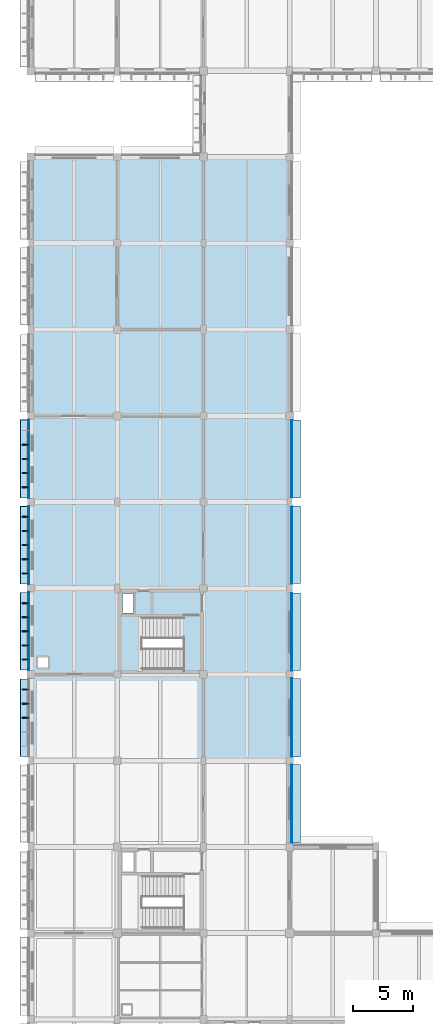
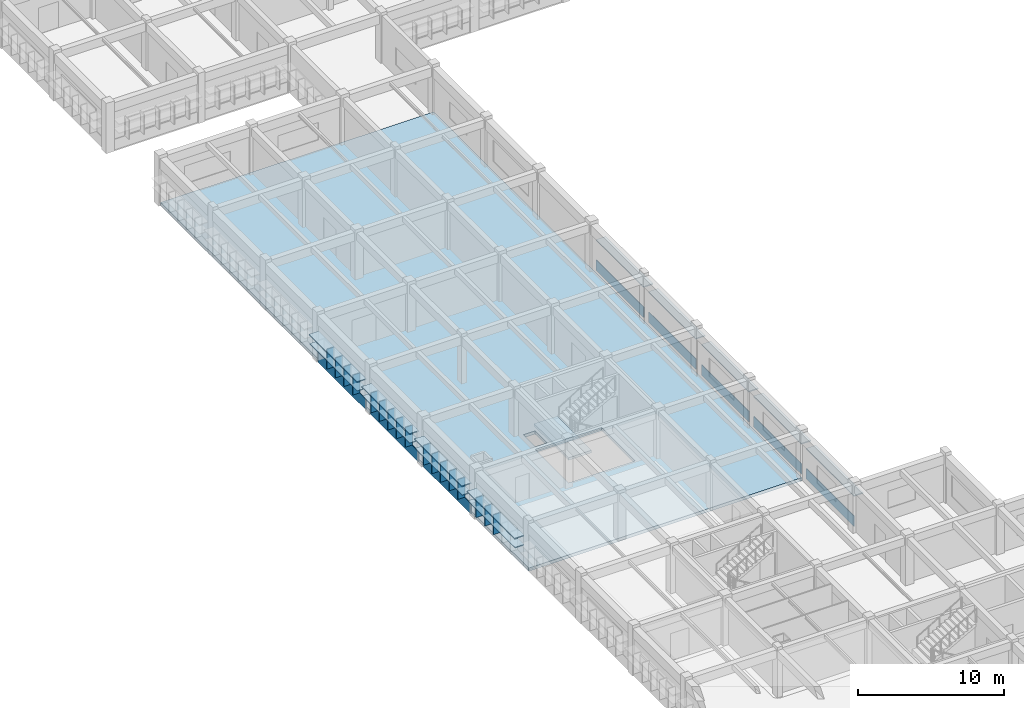
# One storey, part 11 of 38: 38 plates, 2 slabs, 1 element without a shape of its own.
"""IFC4 building model written with IfcOpenShell, lengths in metres."""

from ifc_helpers import new_model, si_unit, direction, frame, origin, origin_2d, place, context, subcontext, project, spatial, polyline, rectangle, outline, extrude, material, layer, layer_set, type_object, element, aggregate, save


model = new_model("IFC4")

# Units and contexts
model_context = context("Model", 3, precision=1e-05, world=origin(), true_north=direction((0.0, 1.0)))
body_context = subcontext(model_context, "Body", "Model", "MODEL_VIEW")
ifc_project = project(units=[si_unit("LENGTHUNIT", "METRE"), si_unit("AREAUNIT", "SQUARE_METRE"), si_unit("VOLUMEUNIT", "CUBIC_METRE"), si_unit("PLANEANGLEUNIT", "RADIAN"), si_unit("MASSUNIT", "GRAM", prefix="KILO")], contexts=[model_context])

# Site, building, storey
site_placement = place(None, origin())
site = spatial("IfcSite", under=ifc_project, at=site_placement, CompositionType="ELEMENT")
building_placement = place(site_placement, origin())
building = spatial("IfcBuilding", under=site, at=building_placement, Name="Thalmaran Polytechnic", CompositionType="ELEMENT")
storey_placement = place(building_placement, frame((0.0, 0.0, 18.60009765625)))
storey = spatial("IfcBuildingStorey", under=building, at=storey_placement, Name="L04", CompositionType="ELEMENT", Elevation=18.60009765625)

# Plates
ifc_material_1 = material(Name="Anodised aluminium spandrel band", Category="aluminium")
ifc_layer_1 = layer(ifc_material_1, 0.054931640625, Name="Anodised aluminium spandrel band")
ifc_layer_set_1 = layer_set([ifc_layer_1], Name="Anodised aluminium spandrel band")
plate_type_1 = type_object("IfcPlateType", Name="PT-BD01", PredefinedType="SHEET", material=ifc_layer_set_1)
plate_1_placement = place(storey_placement, frame((-0.195068359375, 46.8076171875, 0.02001953125), z_axis=(0.0, 0.0, 1.0), x_axis=(0.0, 1.0, 0.0)))
element("IfcPlate", 1, at=plate_1_placement, inside=storey, type_object=plate_type_1, Name="Streamline Horizontal Spandrel Band L04-031", PredefinedType="SHEET", context=body_context, shape_type="SweptSolid", body=[
    extrude(rectangle(XDim=6.4951171875, YDim=0.054931640625, at=origin_2d()), origin(), (0.0, 0.0, 1.0), 0.8798828125),
])
plate_2_placement = place(storey_placement, frame((-0.195068359375, 54.007568359375, 0.02001953125), z_axis=(0.0, 0.0, 1.0), x_axis=(0.0, 1.0, 0.0)))
element("IfcPlate", 2, at=plate_2_placement, inside=storey, type_object=plate_type_1, Name="Streamline Horizontal Spandrel Band L04-032", PredefinedType="SHEET", context=body_context, shape_type="SweptSolid", body=[
    extrude(rectangle(XDim=6.52490234375, YDim=0.054931640625, at=origin_2d()), origin(), (0.0, 0.0, 1.0), 0.8798828125),
])
plate_3_placement = place(storey_placement, frame((-0.195068359375, 61.205078125, 0.02001953125), z_axis=(0.0, 0.0, 1.0), x_axis=(0.0, 1.0, 0.0)))
element("IfcPlate", 3, at=plate_3_placement, inside=storey, type_object=plate_type_1, Name="Streamline Horizontal Spandrel Band L04-033", PredefinedType="SHEET", context=body_context, shape_type="SweptSolid", body=[
    extrude(rectangle(XDim=6.550048828125, YDim=0.054931640625, at=origin_2d()), origin(), (0.0, 0.0, 1.0), 0.8798828125),
])
plate_4_placement = place(storey_placement, frame((21.77001953125, 61.18994140625, 0.02001953125), z_axis=(0.0, 0.0, 1.0), x_axis=(0.0, -1.0, 0.0)))
element("IfcPlate", 4, at=plate_4_placement, inside=storey, type_object=plate_type_1, Name="Streamline Horizontal Spandrel Band L04-083", PredefinedType="SHEET", context=body_context, shape_type="SweptSolid", body=[
    extrude(rectangle(XDim=6.5, YDim=0.054931640625, at=origin_2d()), origin(), (0.0, 0.0, 1.0), 0.8798828125),
])
plate_5_placement = place(storey_placement, frame((21.77001953125, 54.027587890625, 0.02001953125), z_axis=(0.0, 0.0, 1.0), x_axis=(0.0, -1.0, 0.0)))
element("IfcPlate", 5, at=plate_5_placement, inside=storey, type_object=plate_type_1, Name="Streamline Horizontal Spandrel Band L04-084", PredefinedType="SHEET", context=body_context, shape_type="SweptSolid", body=[
    extrude(rectangle(XDim=6.465087890625, YDim=0.054931640625, at=origin_2d()), origin(), (0.0, 0.0, 1.0), 0.8798828125),
])
plate_6_placement = place(storey_placement, frame((21.77001953125, 46.762451171875, 0.02001953125), z_axis=(0.0, 0.0, 1.0), x_axis=(0.0, -1.0, 0.0)))
element("IfcPlate", 6, at=plate_6_placement, inside=storey, type_object=plate_type_1, Name="Streamline Horizontal Spandrel Band L04-085", PredefinedType="SHEET", context=body_context, shape_type="SweptSolid", body=[
    extrude(rectangle(XDim=6.485107421875, YDim=0.054931640625, at=origin_2d()), origin(), (0.0, 0.0, 1.0), 0.8798828125),
])
plate_7_placement = place(storey_placement, frame((21.77001953125, 39.60498046875, 0.02001953125), z_axis=(0.0, 0.0, 1.0), x_axis=(0.0, -1.0, 0.0)))
element("IfcPlate", 7, at=plate_7_placement, inside=storey, type_object=plate_type_1, Name="Streamline Horizontal Spandrel Band L04-086", PredefinedType="SHEET", context=body_context, shape_type="SweptSolid", body=[
    extrude(rectangle(XDim=6.550048828125, YDim=0.054931640625, at=origin_2d()), origin(), (0.0, 0.0, 1.0), 0.8798828125),
])
plate_8_placement = place(storey_placement, frame((21.77001953125, 32.407470703125, 0.02001953125), z_axis=(0.0, 0.0, 1.0), x_axis=(0.0, -1.0, 0.0)))
element("IfcPlate", 8, at=plate_8_placement, inside=storey, type_object=plate_type_1, Name="Streamline Horizontal Spandrel Band L04-087", PredefinedType="SHEET", context=body_context, shape_type="SweptSolid", body=[
    extrude(rectangle(XDim=6.52490234375, YDim=0.054931640625, at=origin_2d()), origin(), (0.0, 0.0, 1.0), 0.8798828125),
])
ifc_material_2 = material(Name="Anodised aluminium sun-hood eyebrow", Category="aluminium")
ifc_layer_2 = layer(ifc_material_2, 0.0849609375, Name="Anodised aluminium sun-hood eyebrow")
ifc_layer_set_2 = layer_set([ifc_layer_2], Name="Anodised aluminium sun-hood eyebrow")
plate_type_2 = type_object("IfcPlateType", Name="PT-EB01", PredefinedType="SHEET", material=ifc_layer_set_2)
plate_9_placement = place(storey_placement, frame((-0.5400390625, 39.590087890625, 2.517333984375), z_axis=(0.0, 0.0, 1.0), x_axis=(0.0, 1.0, 0.0)))
element("IfcPlate", 9, at=plate_9_placement, inside=storey, type_object=plate_type_2, Name="Streamline Sun-Hood Eyebrow L04-030", PredefinedType="SHEET", context=body_context, shape_type="SweptSolid", body=[
    extrude(rectangle(XDim=6.5, YDim=0.760009765625, at=origin_2d()), origin(), (0.0, 0.0, 1.0), 0.0849609375),
])
plate_10_placement = place(storey_placement, frame((-0.52001953125, 39.590087890625, 1.7421875), z_axis=(0.0, 0.0, 1.0), x_axis=(0.0, 1.0, 0.0)))
element("IfcPlate", 10, at=plate_10_placement, inside=storey, type_object=plate_type_2, Name="Abu Dhabi Horizontal Solar Louvre L04-030", PredefinedType="SHEET", context=body_context, shape_type="SweptSolid", body=[
    extrude(rectangle(XDim=6.4599609375, YDim=0.719970703125, at=origin_2d()), origin(), (0.0, 0.0, 1.0), 0.074951171875),
])
plate_11_placement = place(storey_placement, frame((-0.5400390625, 46.8076171875, 2.517333984375), z_axis=(0.0, 0.0, 1.0), x_axis=(0.0, 1.0, 0.0)))
element("IfcPlate", 11, at=plate_11_placement, inside=storey, type_object=plate_type_2, Name="Streamline Sun-Hood Eyebrow L04-031", PredefinedType="SHEET", context=body_context, shape_type="SweptSolid", body=[
    extrude(rectangle(XDim=6.4951171875, YDim=0.760009765625, at=origin_2d()), origin(), (0.0, 0.0, 1.0), 0.0849609375),
])
plate_12_placement = place(storey_placement, frame((-0.52001953125, 46.8076171875, 1.7421875), z_axis=(0.0, 0.0, 1.0), x_axis=(0.0, 1.0, 0.0)))
element("IfcPlate", 12, at=plate_12_placement, inside=storey, type_object=plate_type_2, Name="Abu Dhabi Horizontal Solar Louvre L04-031", PredefinedType="SHEET", context=body_context, shape_type="SweptSolid", body=[
    extrude(rectangle(XDim=6.455078125, YDim=0.719970703125, at=origin_2d()), origin(), (0.0, 0.0, 1.0), 0.074951171875),
])
plate_13_placement = place(storey_placement, frame((-0.5400390625, 54.007568359375, 2.517333984375), z_axis=(0.0, 0.0, 1.0), x_axis=(0.0, 1.0, 0.0)))
element("IfcPlate", 13, at=plate_13_placement, inside=storey, type_object=plate_type_2, Name="Streamline Sun-Hood Eyebrow L04-032", PredefinedType="SHEET", context=body_context, shape_type="SweptSolid", body=[
    extrude(rectangle(XDim=6.52490234375, YDim=0.760009765625, at=origin_2d()), origin(), (0.0, 0.0, 1.0), 0.0849609375),
])
plate_14_placement = place(storey_placement, frame((-0.52001953125, 54.007568359375, 1.7421875), z_axis=(0.0, 0.0, 1.0), x_axis=(0.0, 1.0, 0.0)))
element("IfcPlate", 14, at=plate_14_placement, inside=storey, type_object=plate_type_2, Name="Abu Dhabi Horizontal Solar Louvre L04-032", PredefinedType="SHEET", context=body_context, shape_type="SweptSolid", body=[
    extrude(rectangle(XDim=6.485107421875, YDim=0.719970703125, at=origin_2d()), origin(), (0.0, 0.0, 1.0), 0.074951171875),
])
plate_15_placement = place(storey_placement, frame((-0.5400390625, 61.205078125, 2.517333984375), z_axis=(0.0, 0.0, 1.0), x_axis=(0.0, 1.0, 0.0)))
element("IfcPlate", 15, at=plate_15_placement, inside=storey, type_object=plate_type_2, Name="Streamline Sun-Hood Eyebrow L04-033", PredefinedType="SHEET", context=body_context, shape_type="SweptSolid", body=[
    extrude(rectangle(XDim=6.550048828125, YDim=0.760009765625, at=origin_2d()), origin(), (0.0, 0.0, 1.0), 0.0849609375),
])
plate_16_placement = place(storey_placement, frame((-0.52001953125, 61.205078125, 1.7421875), z_axis=(0.0, 0.0, 1.0), x_axis=(0.0, 1.0, 0.0)))
element("IfcPlate", 16, at=plate_16_placement, inside=storey, type_object=plate_type_2, Name="Abu Dhabi Horizontal Solar Louvre L04-033", PredefinedType="SHEET", context=body_context, shape_type="SweptSolid", body=[
    extrude(rectangle(XDim=6.510009765625, YDim=0.719970703125, at=origin_2d()), origin(), (0.0, 0.0, 1.0), 0.074951171875),
])
plate_17_placement = place(storey_placement, frame((22.114990234375, 61.18994140625, 2.517333984375), z_axis=(0.0, 0.0, 1.0), x_axis=(0.0, -1.0, 0.0)))
element("IfcPlate", 17, at=plate_17_placement, inside=storey, type_object=plate_type_2, Name="Streamline Sun-Hood Eyebrow L04-083", PredefinedType="SHEET", context=body_context, shape_type="SweptSolid", body=[
    extrude(rectangle(XDim=6.5, YDim=0.760009765625, at=origin_2d()), origin(), (0.0, 0.0, 1.0), 0.0849609375),
])
plate_18_placement = place(storey_placement, frame((22.114990234375, 54.027587890625, 2.517333984375), z_axis=(0.0, 0.0, 1.0), x_axis=(0.0, -1.0, 0.0)))
element("IfcPlate", 18, at=plate_18_placement, inside=storey, type_object=plate_type_2, Name="Streamline Sun-Hood Eyebrow L04-084", PredefinedType="SHEET", context=body_context, shape_type="SweptSolid", body=[
    extrude(rectangle(XDim=6.465087890625, YDim=0.760009765625, at=origin_2d()), origin(), (0.0, 0.0, 1.0), 0.0849609375),
])
plate_19_placement = place(storey_placement, frame((22.114990234375, 46.762451171875, 2.517333984375), z_axis=(0.0, 0.0, 1.0), x_axis=(0.0, -1.0, 0.0)))
element("IfcPlate", 19, at=plate_19_placement, inside=storey, type_object=plate_type_2, Name="Streamline Sun-Hood Eyebrow L04-085", PredefinedType="SHEET", context=body_context, shape_type="SweptSolid", body=[
    extrude(rectangle(XDim=6.485107421875, YDim=0.760009765625, at=origin_2d()), origin(), (0.0, 0.0, 1.0), 0.0849609375),
])
plate_20_placement = place(storey_placement, frame((22.114990234375, 39.60498046875, 2.517333984375), z_axis=(0.0, 0.0, 1.0), x_axis=(0.0, -1.0, 0.0)))
element("IfcPlate", 20, at=plate_20_placement, inside=storey, type_object=plate_type_2, Name="Streamline Sun-Hood Eyebrow L04-086", PredefinedType="SHEET", context=body_context, shape_type="SweptSolid", body=[
    extrude(rectangle(XDim=6.550048828125, YDim=0.760009765625, at=origin_2d()), origin(), (0.0, 0.0, 1.0), 0.0849609375),
])
plate_21_placement = place(storey_placement, frame((22.114990234375, 32.407470703125, 2.517333984375), z_axis=(0.0, 0.0, 1.0), x_axis=(0.0, -1.0, 0.0)))
element("IfcPlate", 21, at=plate_21_placement, inside=storey, type_object=plate_type_2, Name="Streamline Sun-Hood Eyebrow L04-087", PredefinedType="SHEET", context=body_context, shape_type="SweptSolid", body=[
    extrude(rectangle(XDim=6.52490234375, YDim=0.760009765625, at=origin_2d()), origin(), (0.0, 0.0, 1.0), 0.0849609375),
])
ifc_material_3 = material(Name="Anodised bronze brise-soleil fin")
ifc_layer_3 = layer(ifc_material_3, 0.06494140625, Name="Anodised bronze brise-soleil fin")
ifc_layer_set_3 = layer_set([ifc_layer_3], Name="Anodised bronze brise-soleil fin")
plate_type_3 = type_object("IfcPlateType", Name="PT-FN01", PredefinedType="SHEET", material=ifc_layer_set_3)
for number, where, z_axis, x_axis, name in (
    (22, (-0.4599609375, 39.590087890625, 0.89501953125), (0.0, 0.0, 1.0), (0.0, 1.0, 0.0), "Abu Dhabi Solar Brise-Soleil Fin L04-030-3"),
    (23, (-0.4599609375, 40.76708984375, 0.89501953125), (0.0, 0.0, 1.0), (0.0, 1.0, 0.0), "Abu Dhabi Solar Brise-Soleil Fin L04-030-4"),
    (24, (-0.4599609375, 41.9443359375, 0.89501953125), (0.0, 0.0, 1.0), (0.0, 1.0, 0.0), "Abu Dhabi Solar Brise-Soleil Fin L04-030-5"),
    (25, (-0.4599609375, 44.454833984375, 0.89501953125), (0.0, 0.0, 1.0), (0.0, 1.0, 0.0), "Abu Dhabi Solar Brise-Soleil Fin L04-031-1"),
    (26, (-0.4599609375, 45.631103515625, 0.89501953125), (0.0, 0.0, 1.0), (0.0, 1.0, 0.0), "Abu Dhabi Solar Brise-Soleil Fin L04-031-2"),
    (27, (-0.4599609375, 46.8076171875, 0.89501953125), (0.0, 0.0, 1.0), (0.0, 1.0, 0.0), "Abu Dhabi Solar Brise-Soleil Fin L04-031-3"),
    (28, (-0.4599609375, 47.98388671875, 0.89501953125), (0.0, 0.0, 1.0), (0.0, 1.0, 0.0), "Abu Dhabi Solar Brise-Soleil Fin L04-031-4"),
    (29, (-0.4599609375, 49.16015625, 0.89501953125), (0.0, 0.0, 1.0), (0.0, 1.0, 0.0), "Abu Dhabi Solar Brise-Soleil Fin L04-031-5"),
    (30, (-0.4599609375, 51.64404296875, 0.89501953125), (0.0, 0.0, 1.0), (0.0, 1.0, 0.0), "Abu Dhabi Solar Brise-Soleil Fin L04-032-1"),
    (31, (-0.4599609375, 52.82568359375, 0.89501953125), (0.0, 0.0, 1.0), (0.0, 1.0, 0.0), "Abu Dhabi Solar Brise-Soleil Fin L04-032-2"),
    (32, (-0.4599609375, 54.007568359375, 0.89501953125), (0.0, 0.0, 1.0), (0.0, 1.0, 0.0), "Abu Dhabi Solar Brise-Soleil Fin L04-032-3"),
    (33, (-0.4599609375, 55.189208984375, 0.89501953125), (0.0, 0.0, 1.0), (0.0, 1.0, 0.0), "Abu Dhabi Solar Brise-Soleil Fin L04-032-4"),
    (34, (-0.4599609375, 56.370849609375, 0.89501953125), (0.0, 0.0, 1.0), (0.0, 1.0, 0.0), "Abu Dhabi Solar Brise-Soleil Fin L04-032-5"),
    (35, (-0.4599609375, 58.83251953125, 0.89501953125), (0.0, 0.0, 1.0), (0.0, 1.0, 0.0), "Abu Dhabi Solar Brise-Soleil Fin L04-033-1"),
    (36, (-0.4599609375, 60.018798828125, 0.89501953125), (0.0, 0.0, 1.0), (0.0, 1.0, 0.0), "Abu Dhabi Solar Brise-Soleil Fin L04-033-2"),
    (37, (-0.4599609375, 61.205078125, 0.89501953125), (0.0, 0.0, 1.0), (0.0, 1.0, 0.0), "Abu Dhabi Solar Brise-Soleil Fin L04-033-3"),
    (38, (-0.4599609375, 62.39111328125, 0.89501953125), (0.0, 0.0, 1.0), (0.0, 1.0, 0.0), "Abu Dhabi Solar Brise-Soleil Fin L04-033-4"),
):
    element("IfcPlate", number, at=place(storey_placement, frame(where, z_axis=z_axis, x_axis=x_axis)), inside=storey, type_object=plate_type_3, Name=name, PredefinedType="SHEET", context=body_context, shape_type="SweptSolid", body=[
        extrude(rectangle(XDim=0.06494140625, YDim=0.56005859375, at=origin_2d()), origin(), (0.0, 0.0, 1.0), 1.64990234375),
    ])

# Slab
ifc_material_4 = material(Name="Concrete C40/50", Category="concrete")
ifc_layer_4 = layer(ifc_material_4, 0.260009765625, Name="Concrete C40/50")
ifc_layer_set_4 = layer_set([ifc_layer_4], Name="Concrete C40/50")
slab_type_1 = type_object("IfcSlabType", Name="SL-FL06", PredefinedType="FLOOR", material=ifc_layer_set_4)
slab_1_placement = place(storey_placement, frame((0.0, 0.0, -0.260009765625)))
element("IfcSlab", 39, at=slab_1_placement, inside=storey, type_object=slab_type_1, Name="V1N L04 Structural Slab", PredefinedType="FLOOR", context=body_context, shape_type="SweptSolid", body=[
    extrude(outline(polyline([(0.0, 72.0), (0.0, 79.199951171875), (0.0, 86.39990234375), (7.199951171875, 86.39990234375), (14.39990234375, 86.39990234375), (21.60009765625, 86.39990234375), (21.60009765625, 79.199951171875), (21.60009765625, 72.0), (21.60009765625, 64.800048828125), (21.60009765625, 57.60009765625), (21.60009765625, 50.39990234375), (21.60009765625, 43.199951171875), (21.60009765625, 36.0), (14.39990234375, 36.0), (7.199951171875, 36.0), (0.0, 36.0), (0.0, 43.199951171875), (0.0, 50.39990234375), (0.0, 57.60009765625), (0.0, 64.800048828125), (0.0, 72.0)]), holes=[polyline([(7.449951171875, 43.449951171875), (12.719970703125, 43.449951171875), (12.719970703125, 48.0400390625), (7.449951171875, 48.0400390625), (7.449951171875, 43.449951171875)]), polyline([(7.639892578125, 49.9599609375), (7.639892578125, 48.340087890625), (8.56005859375, 48.340087890625), (8.56005859375, 49.9599609375), (7.639892578125, 49.9599609375)]), polyline([(1.449951171875, 44.64990234375), (0.550048828125, 44.64990234375), (0.550048828125, 43.75), (1.449951171875, 43.75), (1.449951171875, 44.64990234375)])]), origin(), (0.0, 0.0, 1.0), 0.260009765625),
])

# Stair, slab
stair_type = type_object("IfcStairType", Name="ST-HT42", PredefinedType="HALF_TURN_STAIR", material=ifc_material_4)
stair_placement = place(storey_placement, origin())
stair = element("IfcStair", 40, at=stair_placement, inside=storey, type_object=stair_type, Name="Exit Stair ST4 L04", PredefinedType="HALF_TURN_STAIR")
ifc_layer_5 = layer(ifc_material_4, 0.2099609375, Name="Concrete C40/50")
ifc_layer_set_5 = layer_set([ifc_layer_5], Name="Concrete C40/50")
slab_type_2 = type_object("IfcSlabType", Name="SL-LD01", PredefinedType="LANDING", material=ifc_layer_set_5)
slab_2_placement = place(storey_placement, frame((0.0, 0.0, 1.889892578125)))
slab_2 = element("IfcSlab", 41, at=slab_2_placement, type_object=slab_type_2, Name="ST4 L04 Half Landing", PredefinedType="LANDING", context=body_context, shape_type="SweptSolid", body=[
    extrude(outline(polyline([(7.43994140625, 43.43994140625), (9.260009765625, 43.43994140625), (9.260009765625, 48.139892578125), (7.43994140625, 48.139892578125), (7.43994140625, 43.43994140625)])), origin(), (0.0, 0.0, 1.0), 0.2099609375),
])
aggregate(stair, [slab_2])

save(model, "model.ifc")
